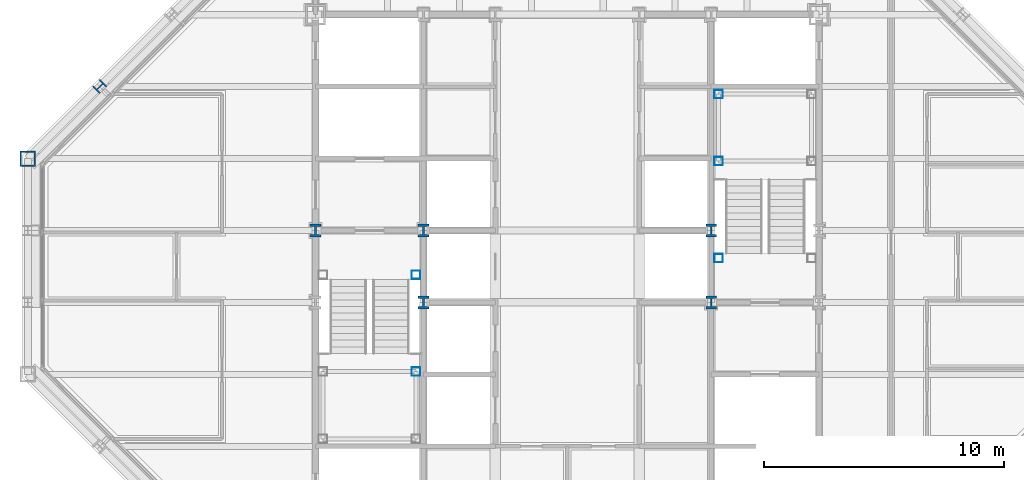
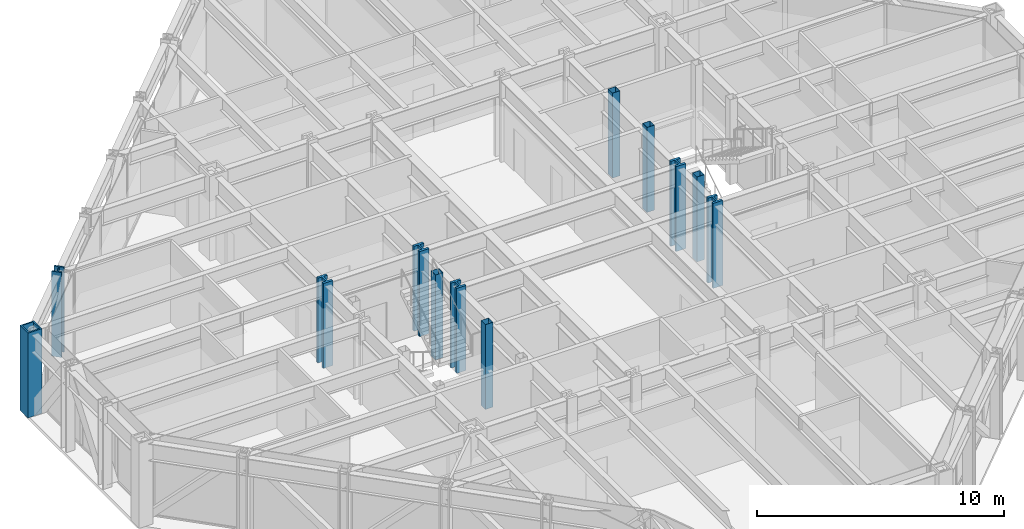
# One storey, part 2 of 15: 12 columns.
"""IFC4 building model written with IfcOpenShell, lengths in metres."""

import ifcopenshell
import ifcopenshell.guid

model = None  # the IFC model being written
_history = None  # IfcOwnerHistory: only IFC2X3 demands one
_inside = {}  # id of a spatial element -> (the spatial element, [elements in it])
_under = {}  # id of a project, library or spatial element -> (it, [spatial elements below it])
_declared = {}  # id of a project -> (the project, [libraries it declares])
_typed = {}  # id of a type object -> (the type object, [elements of that type])
_made_of = {}  # id of a material, layer set ... -> (it, [elements and type objects made of it])


def new_model(schema):
    """Start an empty IFC model of exactly this schema.

    Asked for "IFC4X3", IfcOpenShell would pick the latest addendum, in which some entities
    have other attributes; the version numbers below select the first issue.
    IFC2X3 requires an IfcOwnerHistory on every rooted entity: one is made here for all.
    """
    global model, _history
    if schema == "IFC4X3":
        model = ifcopenshell.file(schema_version=(4, 3, 0, 0))
    else:
        model = ifcopenshell.file(schema=schema)
    _inside.clear()
    _under.clear()
    _declared.clear()
    _typed.clear()
    _made_of.clear()
    _history = None
    if model.schema == "IFC2X3":
        org = make("IfcOrganization", Name="unknown")
        user = make(
            "IfcPersonAndOrganization",
            ThePerson=make("IfcPerson", FamilyName="unknown"),
            TheOrganization=org,
        )
        app = make(
            "IfcApplication",
            ApplicationDeveloper=org,
            Version="unknown",
            ApplicationFullName="unknown",
            ApplicationIdentifier="unknown",
        )
        _history = make(
            "IfcOwnerHistory",
            OwningUser=user,
            OwningApplication=app,
            ChangeAction="ADDED",
            CreationDate=0,
        )
    return model


def make(cls, **values):
    """One entity of the class cls with the attributes given. An attribute that is None is left unset."""
    return model.create_entity(
        cls, **{name: value for name, value in values.items() if value is not None}
    )


def rooted(cls, **values):
    """An entity with a GlobalId (a new one), such as an element, a storey or a relation."""
    return make(cls, GlobalId=ifcopenshell.guid.new(), OwnerHistory=_history, **values)


def si_unit(unit_type, name, prefix=None):
    """IfcSIUnit, for example si_unit("LENGTHUNIT", "METRE", prefix="MILLI")."""
    return make("IfcSIUnit", UnitType=unit_type, Prefix=prefix, Name=name)


def assignment(units):
    """IfcUnitAssignment: the units of a project."""
    return None if units is None else make("IfcUnitAssignment", Units=units)


def point(xyz):
    """IfcCartesianPoint."""
    return None if xyz is None else make("IfcCartesianPoint", Coordinates=xyz)


def direction(xyz):
    """IfcDirection."""
    return None if xyz is None else make("IfcDirection", DirectionRatios=xyz)


def frame(location, z_axis=None, x_axis=None):
    """IfcAxis2Placement3D, a coordinate frame: its origin and axes. An axis left out is left unset."""
    return make(
        "IfcAxis2Placement3D",
        Location=point(location),
        Axis=direction(z_axis),
        RefDirection=direction(x_axis),
    )


def frame_2d(location, x_axis=None):
    """IfcAxis2Placement2D, a coordinate frame in the plane: its origin and x axis."""
    return make(
        "IfcAxis2Placement2D", Location=point(location), RefDirection=direction(x_axis)
    )


def origin():
    """The frame at (0, 0, 0) with its axes left unset."""
    return frame((0.0, 0.0, 0.0))


def origin_2d():
    """The frame at (0, 0) in the plane with its x axis left unset."""
    return frame_2d((0.0, 0.0))


def place(relative_to, where):
    """IfcLocalPlacement: puts the frame where relative to a parent placement (None: the world)."""
    return make(
        "IfcLocalPlacement", PlacementRelTo=relative_to, RelativePlacement=where
    )


def context(
    kind, dimensions, precision=None, world=None, true_north=None, identifier=None
):
    """IfcGeometricRepresentationContext, for example the 3D "Model" context."""
    return make(
        "IfcGeometricRepresentationContext",
        ContextIdentifier=identifier,
        ContextType=kind,
        CoordinateSpaceDimension=dimensions,
        Precision=precision,
        WorldCoordinateSystem=world,
        TrueNorth=true_north,
    )


def subcontext(parent, identifier, kind, view, scale=None):
    """IfcGeometricRepresentationSubContext, for example "Body" below "Model"."""
    return make(
        "IfcGeometricRepresentationSubContext",
        ContextIdentifier=identifier,
        ContextType=kind,
        ParentContext=parent,
        TargetScale=scale,
        TargetView=view,
    )


def project(units=None, contexts=None):
    """IfcProject with its units and contexts."""
    return rooted(
        "IfcProject",
        Name="project",
        RepresentationContexts=contexts,
        UnitsInContext=assignment(units),
    )


def spatial(cls, under=None, at=None, **own):
    """A site, building, storey or space (cls), placed at a placement, below another one or the project."""
    s = rooted(cls, ObjectPlacement=at, **own)
    if under is not None:
        _under.setdefault(under.id(), (under, []))[1].append(s)
    return s


def profile(cls, at=None, kind="AREA", **sizes):
    """A parametric profile (cls). Its sizes go by their IFC names, for example OverallWidth=200.0."""
    return make(cls, ProfileType=kind, Position=at, **sizes)


def hollow_rectangle(**sizes):
    """IfcRectangleHollowProfileDef."""
    return profile("IfcRectangleHollowProfileDef", **sizes)


def i_section(**sizes):
    """IfcIShapeProfileDef."""
    return profile("IfcIShapeProfileDef", **sizes)


def extrude(swept, where, along, depth):
    """IfcExtrudedAreaSolid: the profile swept, set in the frame where, extruded along a direction by depth."""
    return make(
        "IfcExtrudedAreaSolid",
        SweptArea=swept,
        Position=where,
        ExtrudedDirection=direction(along),
        Depth=depth,
    )


def shape(context_of_items, identifier, shape_type, items):
    """IfcShapeRepresentation: the items that make up one representation, for example the "Body"."""
    return make(
        "IfcShapeRepresentation",
        ContextOfItems=context_of_items,
        RepresentationIdentifier=identifier,
        RepresentationType=shape_type,
        Items=items,
    )


def material(Name=None, Category=None):
    """IfcMaterial."""
    return make("IfcMaterial", Name=Name, Category=Category)


def material_profile(
    of_material, cross_section, Name=None, Category=None, Priority=None
):
    """IfcMaterialProfile: a cross section and its material."""
    return make(
        "IfcMaterialProfile",
        Name=Name,
        Material=of_material,
        Profile=cross_section,
        Priority=Priority,
        Category=Category,
    )


def profile_set(profiles, Name=None, composite=None):
    """IfcMaterialProfileSet."""
    return make(
        "IfcMaterialProfileSet",
        Name=Name,
        MaterialProfiles=profiles,
        CompositeProfile=composite,
    )


def made_of(thing, what):
    """Note that an element or type object is made of a material, layer set ...; save() writes the relation."""
    if what is not None:
        _made_of.setdefault(what.id(), (what, []))[1].append(thing)
    return thing


def type_object(cls, material=None, **own):
    """A type object (cls), such as IfcWallType, which elements share."""
    return made_of(rooted(cls, **own), material)


def element(
    cls,
    number,
    at=None,
    inside=None,
    cuts=None,
    type_object=None,
    material=None,
    context=None,
    identifier="Body",
    shape_type=None,
    held_by="IfcProductDefinitionShape",
    body=None,
    shapes=None,
    **own,
):
    """One element of the class cls, such as IfcWall. Its Tag is "e" and its number.

    at: its placement. inside: the storey or other place that contains it. cuts: it is an
    opening in that element (IfcRelVoidsElement). A single representation is given by context,
    identifier, shape_type and body (its items); several are given by shapes. held_by: the class
    of the entity that holds the representations. save() writes the other relations.
    """
    e = rooted(cls, Tag="e%d" % number, ObjectPlacement=at, **own)
    if body is not None:
        shapes = [shape(context, identifier, shape_type, body)]
    if shapes is not None:
        e.Representation = make(held_by, Representations=shapes)
    if inside is not None:
        _inside.setdefault(inside.id(), (inside, []))[1].append(e)
    if cuts is not None:
        rooted(
            "IfcRelVoidsElement", RelatingBuildingElement=cuts, RelatedOpeningElement=e
        )
    if type_object is not None:
        _typed.setdefault(type_object.id(), (type_object, []))[1].append(e)
    return made_of(e, material)


def aggregate(whole, parts):
    """IfcRelAggregates: a whole, such as a stair, and the parts it consists of."""
    return rooted("IfcRelAggregates", RelatingObject=whole, RelatedObjects=parts)


def save(model, path):
    """Write the relations noted so far, then the file.

    IfcRelAggregates (storeys below a building ...), IfcRelContainedInSpatialStructure (elements
    in a storey), IfcRelDefinesByType, IfcRelAssociatesMaterial and IfcRelDeclares: one each for
    every whole, place, type object, material and project.
    """
    for whole, parts in _under.values():
        aggregate(whole, parts)
    for where, things in _inside.values():
        rooted(
            "IfcRelContainedInSpatialStructure",
            RelatedElements=things,
            RelatingStructure=where,
        )
    for kind, things in _typed.values():
        rooted("IfcRelDefinesByType", RelatedObjects=things, RelatingType=kind)
    for what, things in _made_of.values():
        rooted("IfcRelAssociatesMaterial", RelatedObjects=things, RelatingMaterial=what)
    for by, libraries in _declared.values():
        rooted("IfcRelDeclares", RelatingContext=by, RelatedDefinitions=libraries)
    model.write(path)


model = new_model("IFC4")

# Units and contexts
model_context = context("Model", 3, precision=1e-05, world=origin(), true_north=direction((0.0, 1.0)))
body_context = subcontext(model_context, "Body", "Model", "MODEL_VIEW")
ifc_project = project(units=[si_unit("LENGTHUNIT", "METRE"), si_unit("AREAUNIT", "SQUARE_METRE"), si_unit("VOLUMEUNIT", "CUBIC_METRE"), si_unit("PLANEANGLEUNIT", "RADIAN"), si_unit("MASSUNIT", "GRAM", prefix="KILO")], contexts=[model_context])

# Site, building, storey
site_placement = place(None, origin())
site = spatial("IfcSite", under=ifc_project, at=site_placement, CompositionType="ELEMENT")
building_placement = place(site_placement, origin())
building = spatial("IfcBuilding", under=site, at=building_placement, Name="Chuquiago Exchange Tower", CompositionType="ELEMENT")
storey_placement = place(building_placement, frame((0.0, 0.0, 279.0)))
storey = spatial("IfcBuildingStorey", under=building, at=storey_placement, Name="L62", CompositionType="ELEMENT", Elevation=279.0)

# Columns
ifc_material_1 = material(Name="Steel ASTM A992", Category="steel")
ifc_material_profile_1 = material_profile(ifc_material_1, i_section(OverallWidth=0.449462890625, OverallDepth=0.548583984375, WebThickness=0.07177734375, FlangeThickness=0.11474609375, at=origin_2d()), Name="W14X665")
ifc_profile_set_1 = profile_set([ifc_material_profile_1], Name="Steel ASTM A992")
column_type_1 = type_object("IfcColumnType", Name="CC5 W14X665", PredefinedType="COLUMN", material=ifc_profile_set_1)
for number, where, z_axis, x_axis, name in (
    (1, (12.0, 24.0, 0.0), (0.0, 0.0, 1.0), (1.0, 0.0, 0.0), "CCOL-L62-12_24"),
    (2, (16.5, 21.0, 0.0), (0.0, 0.0, 1.0), (1.0, 0.0, 0.0), "CCOL-L62-16.5_21"),
    (3, (16.5, 24.0, 0.0), (0.0, 0.0, 1.0), (1.0, 0.0, 0.0), "CCOL-L62-16.5_24"),
    (4, (28.5, 21.0, 0.0), (0.0, 0.0, 1.0), (1.0, 0.0, 0.0), "CCOL-L62-28.5_21"),
    (5, (28.5, 24.0, 0.0), (0.0, 0.0, 1.0), (1.0, 0.0, 0.0), "CCOL-L62-28.5_24"),
):
    element("IfcColumn", number, at=place(storey_placement, frame(where, z_axis=z_axis, x_axis=x_axis)), inside=storey, type_object=column_type_1, Name=name, PredefinedType="COLUMN", context=body_context, shape_type="SweptSolid", body=[
        extrude(i_section(OverallWidth=0.449462890625, OverallDepth=0.548583984375, WebThickness=0.07177734375, FlangeThickness=0.11474609375, at=origin_2d()), origin(), (0.0, 0.0, 1.0), 4.199951171875),
    ])
ifc_material_2 = material(Name="Steel ASTM A992", Category="steel")
ifc_material_profile_2 = material_profile(ifc_material_2, i_section(OverallWidth=0.41650390625, OverallDepth=0.444580078125, WebThickness=0.0390625, FlangeThickness=0.062744140625, at=origin_2d()), Name="W14X342")
ifc_profile_set_2 = profile_set([ifc_material_profile_2], Name="Steel ASTM A992")
column_type_2 = type_object("IfcColumnType", Name="CK5 W14X342", PredefinedType="COLUMN", material=ifc_profile_set_2)
column_1_placement = place(storey_placement, frame((3.0, 30.0, 0.0), z_axis=(0.0, 0.0, 1.0), x_axis=(-0.707106781187, 0.707106781187, 0.0)))
element("IfcColumn", 6, at=column_1_placement, inside=storey, type_object=column_type_2, Name="COL-L62-3_30", PredefinedType="COLUMN", context=body_context, shape_type="SweptSolid", body=[
    extrude(i_section(OverallWidth=0.41650390625, OverallDepth=0.444580078125, WebThickness=0.0390625, FlangeThickness=0.062744140625, at=origin_2d()), origin(), (0.0, 0.0, 1.0), 4.199951171875),
])
ifc_material_3 = material(Name="Steel ASTM A572 Grade 50", Category="steel")
ifc_material_profile_3 = material_profile(ifc_material_3, hollow_rectangle(XDim=0.64990234375, YDim=0.64990234375, WallThickness=0.06494140625, at=origin_2d()), Name="BOX650X650X65")
ifc_profile_set_3 = profile_set([ifc_material_profile_3], Name="Steel ASTM A572 Grade 50")
column_type_3 = type_object("IfcColumnType", Name="CN2 BOX650X650X65", PredefinedType="COLUMN", material=ifc_profile_set_3)
column_2_placement = place(storey_placement, frame((0.0, 27.0, 0.0), z_axis=(0.0, 0.0, 1.0), x_axis=(-1.0, 0.0, 0.0)))
element("IfcColumn", 7, at=column_2_placement, inside=storey, type_object=column_type_3, Name="COL-L62-0_27", PredefinedType="COLUMN", context=body_context, shape_type="SweptSolid", body=[
    extrude(hollow_rectangle(XDim=0.64990234375, YDim=0.64990234375, WallThickness=0.06494140625, at=origin_2d()), origin(), (0.0, 0.0, 1.0), 4.199951171875),
])
ifc_material_4 = material(Name="Steel ASTM A500 Grade C", Category="steel")
ifc_material_profile_4 = material_profile(ifc_material_4, hollow_rectangle(XDim=0.355712890625, YDim=0.355712890625, WallThickness=0.0087890625, at=origin_2d()), Name="HSS14X14X3/8")
ifc_profile_set_4 = profile_set([ifc_material_profile_4], Name="Steel ASTM A500 Grade C")
column_type_4 = type_object("IfcColumnType", Name="PT1 HSS14X14X3/8", PredefinedType="COLUMN", material=ifc_profile_set_4)
for number, where, z_axis, x_axis, name in (
    (8, (16.18994140625, 18.110107421875, 0.0), (0.0, 0.0, 1.0), (1.0, 0.0, 0.0), "Stair ST1 L62 landing post"),
    (9, (16.18994140625, 22.14990234375, 0.0), (0.0, 0.0, 1.0), (1.0, 0.0, 0.0), "Stair ST1 L62 landing post"),
    (10, (28.81005859375, 29.68994140625, 0.0), (0.0, 0.0, 1.0), (1.0, 0.0, 0.0), "Stair ST2 L62 landing post"),
    (11, (28.81005859375, 26.889892578125, 0.0), (0.0, 0.0, 1.0), (1.0, 0.0, 0.0), "Stair ST2 L62 landing post"),
    (12, (28.81005859375, 22.85009765625, 0.0), (0.0, 0.0, 1.0), (1.0, 0.0, 0.0), "Stair ST2 L62 landing post"),
):
    element("IfcColumn", number, at=place(storey_placement, frame(where, z_axis=z_axis, x_axis=x_axis)), inside=storey, type_object=column_type_4, Name=name, PredefinedType="COLUMN", context=body_context, shape_type="SweptSolid", body=[
        extrude(hollow_rectangle(XDim=0.355712890625, YDim=0.355712890625, WallThickness=0.0087890625, at=origin_2d()), origin(), (0.0, 0.0, 1.0), 4.199951171875),
    ])

save(model, "model.ifc")
